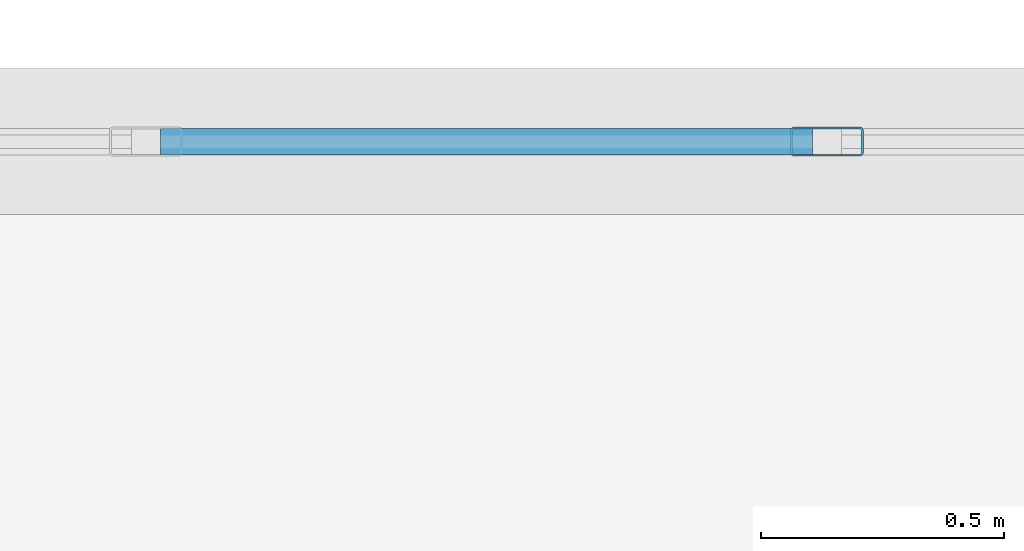
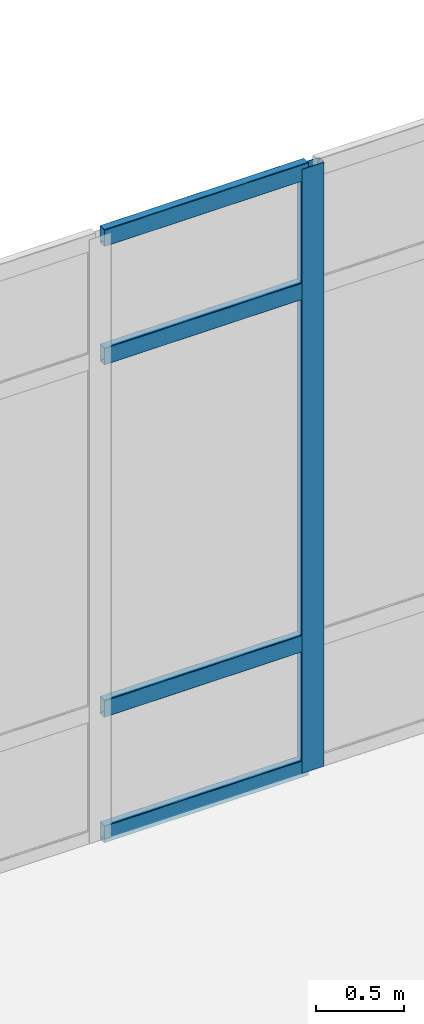
# One storey, part 87 of 145: 5 members, 1 element without a shape of its own.
"""IFC4 building model written with IfcOpenShell, lengths in metres."""

from ifc_helpers import new_model, si_unit, direction, frame, origin, origin_2d, place, context, subcontext, project, spatial, hollow_rectangle, extrude, material, layer, layer_set, material_profile, profile_set, type_object, element, aggregate, save


model = new_model("IFC4")

# Units and contexts
model_context = context("Model", 3, precision=1e-05, world=origin(), true_north=direction((0.0, 1.0)))
body_context = subcontext(model_context, "Body", "Model", "MODEL_VIEW")
ifc_project = project(units=[si_unit("LENGTHUNIT", "METRE"), si_unit("AREAUNIT", "SQUARE_METRE"), si_unit("VOLUMEUNIT", "CUBIC_METRE"), si_unit("PLANEANGLEUNIT", "RADIAN"), si_unit("MASSUNIT", "GRAM", prefix="KILO")], contexts=[model_context])

# Site, building, storey
site_placement = place(None, origin())
site = spatial("IfcSite", under=ifc_project, at=site_placement, CompositionType="ELEMENT")
building_placement = place(site_placement, origin())
building = spatial("IfcBuilding", under=site, at=building_placement, Name="Qalvenar Corner Mobility Hub", CompositionType="ELEMENT")
storey_placement = place(building_placement, origin())
storey = spatial("IfcBuildingStorey", under=building, at=storey_placement, Name="L00", CompositionType="ELEMENT", Elevation=0.0)

# Curtain wall, members
ifc_material_1 = material(Name="Anodised Aluminium and Low-E Glazing", Category="aluminium")
ifc_layer = layer(ifc_material_1, 0.14990234375)
ifc_layer_set = layer_set([ifc_layer], Name="Anodised Aluminium and Low-E Glazing")
curtain_wall_type = type_object("IfcCurtainWallType", Name="CW-MOB-84X46", PredefinedType="NOTDEFINED", material=ifc_layer_set)
curtain_wall_placement = place(storey_placement, origin())
curtain_wall = element("IfcCurtainWall", 1, at=curtain_wall_placement, inside=storey, type_object=curtain_wall_type, Name="Glazed Curtain Wall CW-V4-L00-N4", PredefinedType="NOTDEFINED")
ifc_material_2 = material(Name="Anodised Aluminium 6063-T6", Category="aluminium")
ifc_material_profile_1 = material_profile(ifc_material_2, hollow_rectangle(XDim=0.06005859375, YDim=0.14990234375, WallThickness=0.00390625, InnerFilletRadius=0.00390625, OuterFilletRadius=0.008056640625, at=origin_2d()), Name="RHS150x60x4")
ifc_profile_set_1 = profile_set([ifc_material_profile_1], Name="Anodised Aluminium 6063-T6")
member_type_1 = type_object("IfcMemberType", Name="CW-MUL150", PredefinedType="MULLION", material=ifc_profile_set_1)
member_1_placement = place(storey_placement, frame((95.199951171875, 117.60009765625, 0.0), z_axis=(0.0, 0.0, 1.0), x_axis=(0.0, -1.0, 0.0)))
member_1 = element("IfcMember", 2, at=member_1_placement, type_object=member_type_1, Name="CW-03 mullion 5", PredefinedType="MULLION", context=body_context, shape_type="SweptSolid", body=[
    extrude(hollow_rectangle(XDim=0.06005859375, YDim=0.14990234375, WallThickness=0.00390625, InnerFilletRadius=0.00390625, OuterFilletRadius=0.008056640625, at=origin_2d()), origin(), (0.0, 0.0, 1.0), 4.199951171875),
])
ifc_material_profile_2 = material_profile(ifc_material_2, hollow_rectangle(XDim=0.054931640625, YDim=0.1201171875, WallThickness=0.00341796875, InnerFilletRadius=0.00341796875, OuterFilletRadius=0.007080078125, at=origin_2d()), Name="RHS120x55x3.5")
ifc_profile_set_2 = profile_set([ifc_material_profile_2], Name="Anodised Aluminium 6063-T6")
member_type_2 = type_object("IfcMemberType", Name="CW-TRN120", PredefinedType="USERDEFINED", material=ifc_profile_set_2)
member_2_placement = place(storey_placement, frame((95.169921875, 117.60009765625, 0.027587890625), z_axis=(-1.0, 0.0, 0.0), x_axis=(0.0, -1.0, 0.0)))
member_2 = element("IfcMember", 3, at=member_2_placement, type_object=member_type_2, Name="CW-03 transom 5.1", ObjectType="TRANSOM", PredefinedType="USERDEFINED", context=body_context, shape_type="SweptSolid", body=[
    extrude(hollow_rectangle(XDim=0.054931640625, YDim=0.1201171875, WallThickness=0.00341796875, InnerFilletRadius=0.00341796875, OuterFilletRadius=0.007080078125, at=origin_2d()), origin(), (0.0, 0.0, 1.0), 1.33984375),
])
member_3_placement = place(storey_placement, frame((95.169921875, 117.60009765625, 0.89990234375), z_axis=(-1.0, 0.0, 0.0), x_axis=(0.0, -1.0, 0.0)))
member_3 = element("IfcMember", 4, at=member_3_placement, type_object=member_type_2, Name="CW-03 transom 5.2", ObjectType="TRANSOM", PredefinedType="USERDEFINED", context=body_context, shape_type="SweptSolid", body=[
    extrude(hollow_rectangle(XDim=0.054931640625, YDim=0.1201171875, WallThickness=0.00341796875, InnerFilletRadius=0.00341796875, OuterFilletRadius=0.007080078125, at=origin_2d()), origin(), (0.0, 0.0, 1.0), 1.33984375),
])
member_4_placement = place(storey_placement, frame((95.169921875, 117.60009765625, 3.35009765625), z_axis=(-1.0, 0.0, 0.0), x_axis=(0.0, -1.0, 0.0)))
member_4 = element("IfcMember", 5, at=member_4_placement, type_object=member_type_2, Name="CW-03 transom 5.3", ObjectType="TRANSOM", PredefinedType="USERDEFINED", context=body_context, shape_type="SweptSolid", body=[
    extrude(hollow_rectangle(XDim=0.054931640625, YDim=0.1201171875, WallThickness=0.00341796875, InnerFilletRadius=0.00341796875, OuterFilletRadius=0.007080078125, at=origin_2d()), origin(), (0.0, 0.0, 1.0), 1.33984375),
])
member_5_placement = place(storey_placement, frame((95.169921875, 117.60009765625, 4.172607421875), z_axis=(-1.0, 0.0, 0.0), x_axis=(0.0, -1.0, 0.0)))
member_5 = element("IfcMember", 6, at=member_5_placement, type_object=member_type_2, Name="CW-03 transom 5.4", ObjectType="TRANSOM", PredefinedType="USERDEFINED", context=body_context, shape_type="SweptSolid", body=[
    extrude(hollow_rectangle(XDim=0.054931640625, YDim=0.1201171875, WallThickness=0.00341796875, InnerFilletRadius=0.00341796875, OuterFilletRadius=0.007080078125, at=origin_2d()), origin(), (0.0, 0.0, 1.0), 1.33984375),
])
aggregate(curtain_wall, [member_1, member_2, member_3, member_4, member_5])

save(model, "model.ifc")
